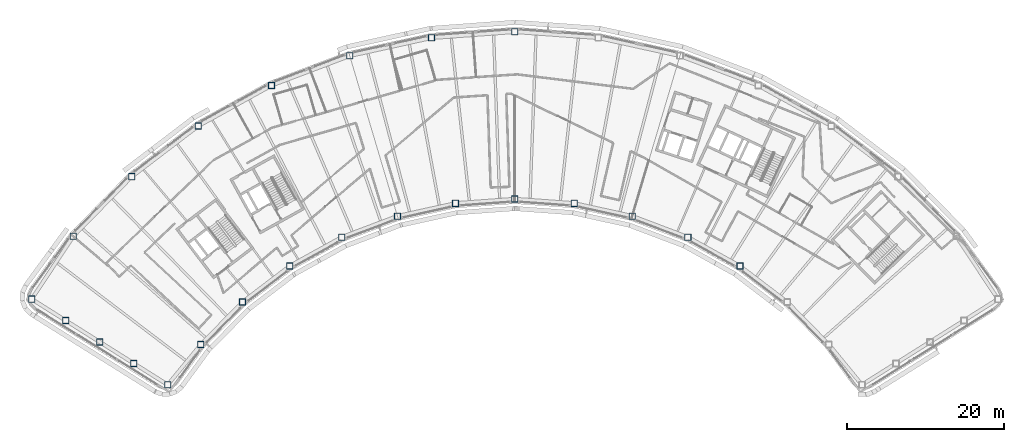
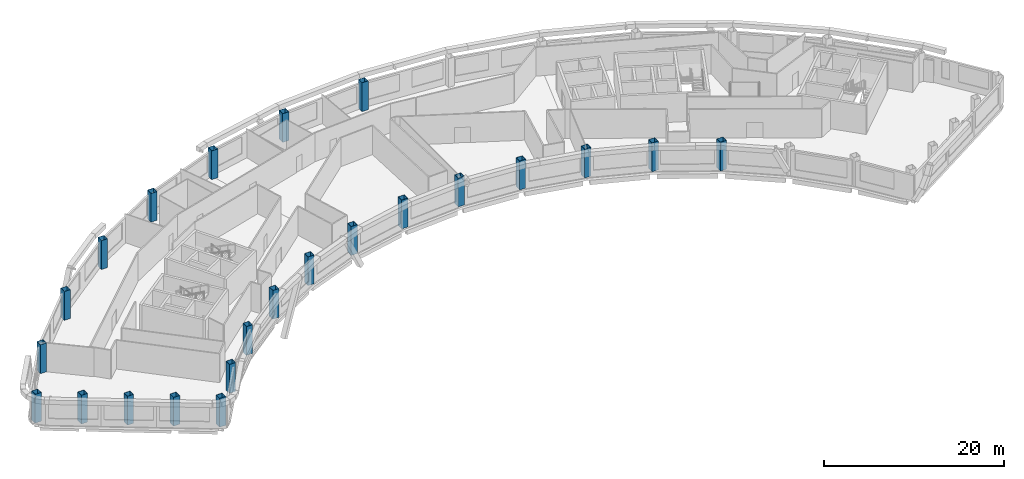
# One storey, part 1 of 15: 23 columns.
"""IFC4 building model written with IfcOpenShell, lengths in metres."""

from ifc_helpers import new_model, si_unit, direction, frame, origin, origin_2d, place, context, subcontext, project, spatial, hollow_rectangle, extrude, material, material_profile, profile_set, type_object, element, save


model = new_model("IFC4")

# Units and contexts
model_context = context("Model", 3, precision=1e-05, world=origin(), true_north=direction((0.0, 1.0)))
body_context = subcontext(model_context, "Body", "Model", "MODEL_VIEW")
ifc_project = project(units=[si_unit("LENGTHUNIT", "METRE"), si_unit("AREAUNIT", "SQUARE_METRE"), si_unit("VOLUMEUNIT", "CUBIC_METRE"), si_unit("PLANEANGLEUNIT", "RADIAN"), si_unit("MASSUNIT", "GRAM", prefix="KILO")], contexts=[model_context])

# Site, building, storey
site_placement = place(None, origin())
site = spatial("IfcSite", under=ifc_project, at=site_placement, CompositionType="ELEMENT")
building_placement = place(site_placement, origin())
building = spatial("IfcBuilding", under=site, at=building_placement, Name="Tuul Gate Civic Tower", CompositionType="ELEMENT")
storey_placement = place(building_placement, frame((0.0, 0.0, 332.300048828125)))
storey = spatial("IfcBuildingStorey", under=building, at=storey_placement, Name="Level 75", CompositionType="ELEMENT", Elevation=332.300048828125)

# Columns
ifc_material = material(Name="Steel S355", Category="steel")
ifc_material_profile = material_profile(ifc_material, hollow_rectangle(XDim=0.800048828125, YDim=0.800048828125, WallThickness=0.031982421875, at=origin_2d()), Name="BOX800x800x32")
ifc_profile_set = profile_set([ifc_material_profile], Name="Steel S355")
column_type = type_object("IfcColumnType", Name="STR-COLUMN-BOX800x800x32", PredefinedType="COLUMN", material=ifc_profile_set)
for number, where, z_axis, x_axis, name in (
    (1, (2.19189453125, 13.827880859375, 0.0), (0.0, 0.0, 1.0), (1.0, 0.0, 0.0), "Column"),
    (2, (-8.45703125, 13.055908203125, 0.0), (0.0, 0.0, 1.0), (1.0, 0.0, 0.0), "Column"),
    (3, (-18.885009765625, 10.758056640625, 0.0), (0.0, 0.0, 1.0), (1.0, 0.0, 0.0), "Column"),
    (4, (-28.8720703125, 6.98193359375, 0.0), (0.0, 0.0, 1.0), (1.0, 0.0, 0.0), "Column"),
    (5, (-38.2099609375, 1.804931640625, 0.0), (0.0, 0.0, 1.0), (1.0, 0.0, 0.0), "Column"),
    (6, (-46.7060546875, -4.6630859375, 0.0), (0.0, 0.0, 1.0), (1.0, 0.0, 0.0), "Column"),
    (7, (-54.179931640625, -12.2880859375, 0.0), (0.0, 0.0, 1.0), (1.0, 0.0, 0.0), "Column"),
    (8, (-59.47900390625, -20.300048828125, 0.0), (0.0, 0.0, 1.0), (1.0, 0.0, 0.0), "Column"),
    (9, (-55.135986328125, -23.034912109375, 0.0), (0.0, 0.0, 1.0), (1.0, 0.0, 0.0), "Column"),
    (10, (-50.7939453125, -25.77001953125, 0.0), (0.0, 0.0, 1.0), (1.0, 0.0, 0.0), "Column"),
    (11, (-46.450927734375, -28.50390625, 0.0), (0.0, 0.0, 1.0), (1.0, 0.0, 0.0), "Column"),
    (12, (-42.10888671875, -31.239013671875, 0.0), (0.0, 0.0, 1.0), (1.0, 0.0, 0.0), "Column"),
    (13, (-37.888916015625, -26.096923828125, 0.0), (0.0, 0.0, 1.0), (1.0, 0.0, 0.0), "Column"),
    (14, (-32.574951171875, -20.675048828125, 0.0), (0.0, 0.0, 1.0), (1.0, 0.0, 0.0), "Column"),
    (15, (-26.534912109375, -16.075927734375, 0.0), (0.0, 0.0, 1.0), (1.0, 0.0, 0.0), "Column"),
    (16, (-19.89501953125, -12.39599609375, 0.0), (0.0, 0.0, 1.0), (1.0, 0.0, 0.0), "Column"),
    (17, (-12.7939453125, -9.7099609375, 0.0), (0.0, 0.0, 1.0), (1.0, 0.0, 0.0), "Column"),
    (18, (-5.3798828125, -8.076904296875, 0.0), (0.0, 0.0, 1.0), (1.0, 0.0, 0.0), "Column"),
    (19, (2.19189453125, -7.528076171875, 0.0), (0.0, 0.0, 1.0), (1.0, 0.0, 0.0), "Column"),
    (20, (9.763916015625, -8.076904296875, 0.0), (0.0, 0.0, 1.0), (1.0, 0.0, 0.0), "Column"),
    (21, (17.177978515625, -9.7099609375, 0.0), (0.0, 0.0, 1.0), (1.0, 0.0, 0.0), "Column"),
    (22, (24.279052734375, -12.39599609375, 0.0), (0.0, 0.0, 1.0), (1.0, 0.0, 0.0), "Column"),
    (23, (30.9189453125, -16.075927734375, 0.0), (0.0, 0.0, 1.0), (1.0, 0.0, 0.0), "Column"),
):
    element("IfcColumn", number, at=place(storey_placement, frame(where, z_axis=z_axis, x_axis=x_axis)), inside=storey, type_object=column_type, Name=name, PredefinedType="COLUMN", context=body_context, shape_type="SweptSolid", body=[
        extrude(hollow_rectangle(XDim=0.800048828125, YDim=0.800048828125, WallThickness=0.031982421875, at=origin_2d()), origin(), (0.0, 0.0, 1.0), 3.89990234375),
    ])

save(model, "model.ifc")
